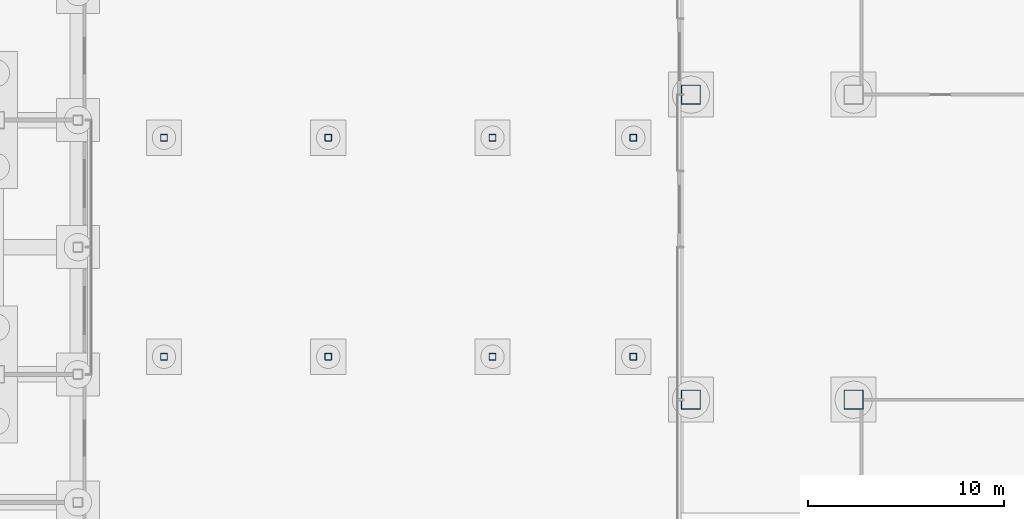
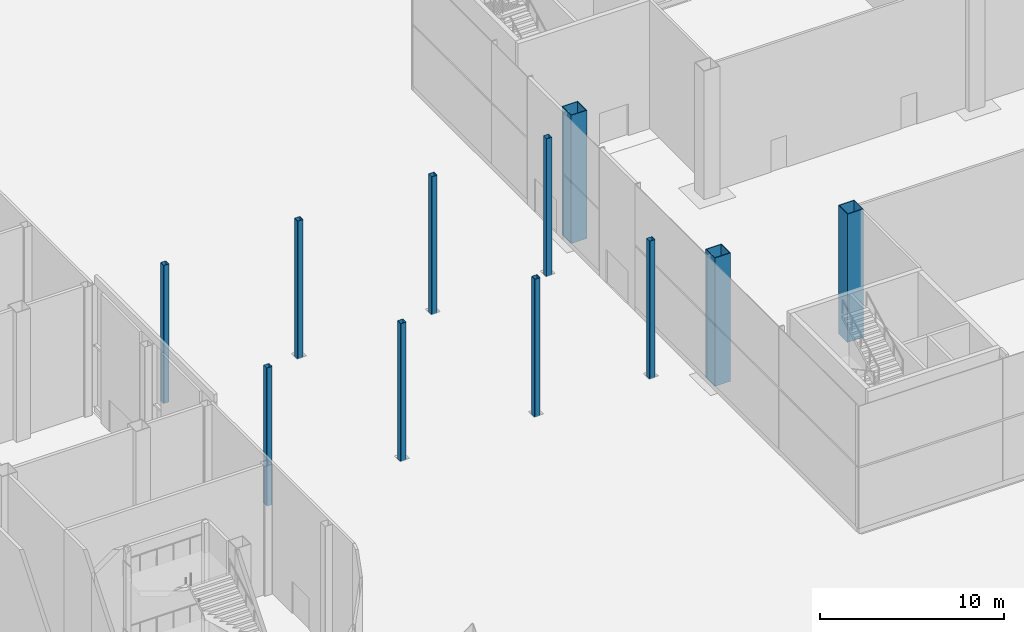
# One storey, part 17 of 113: 11 columns.
"""IFC4 building model written with IfcOpenShell, lengths in metres."""

from ifc_helpers import new_model, si_unit, direction, frame, origin, origin_2d, place, context, subcontext, project, spatial, hollow_rectangle, extrude, material, material_profile, profile_set, type_object, element, save


model = new_model("IFC4")

# Units and contexts
model_context = context("Model", 3, precision=1e-05, world=origin(), true_north=direction((0.0, 1.0)))
body_context = subcontext(model_context, "Body", "Model", "MODEL_VIEW")
ifc_project = project(units=[si_unit("LENGTHUNIT", "METRE"), si_unit("AREAUNIT", "SQUARE_METRE"), si_unit("VOLUMEUNIT", "CUBIC_METRE"), si_unit("PLANEANGLEUNIT", "RADIAN"), si_unit("MASSUNIT", "GRAM", prefix="KILO")], contexts=[model_context])

# Site, building, storey
site_placement = place(None, origin())
site = spatial("IfcSite", under=ifc_project, at=site_placement, CompositionType="ELEMENT")
building_placement = place(site_placement, origin())
building = spatial("IfcBuilding", under=site, at=building_placement, Name="Hakoniwa Tower and Hamabe Station Hall", CompositionType="ELEMENT")
storey_placement = place(building_placement, origin())
storey = spatial("IfcBuildingStorey", under=building, at=storey_placement, Name="L01", CompositionType="ELEMENT", Elevation=0.0)

# Columns
ifc_material_1 = material(Name="Steel BCR295", Category="steel")
ifc_material_profile_1 = material_profile(ifc_material_1, hollow_rectangle(XDim=0.35009765625, YDim=0.35009765625, WallThickness=0.011962890625, OuterFilletRadius=0.026123046875, at=origin_2d()), Name="ARCADE COLUMN BCR-350x350x12")
ifc_profile_set_1 = profile_set([ifc_material_profile_1], Name="Steel BCR295")
column_type_1 = type_object("IfcColumnType", Name="ARCADE COLUMN BCR-350x350x12", PredefinedType="COLUMN", material=ifc_profile_set_1)
for number, where, z_axis, x_axis, name in (
    (1, (59.0, -5.60009765625, -0.14990234375), (0.0, 0.0, 1.0), (1.0, 0.0, 0.0), "Arcade column AC1S"),
    (2, (59.0, 5.60009765625, -0.14990234375), (0.0, 0.0, 1.0), (1.0, 0.0, 0.0), "Arcade column AC1N"),
    (3, (67.39990234375, -5.60009765625, -0.14990234375), (0.0, 0.0, 1.0), (1.0, 0.0, 0.0), "Arcade column AC2S"),
    (4, (67.39990234375, 5.60009765625, -0.14990234375), (0.0, 0.0, 1.0), (1.0, 0.0, 0.0), "Arcade column AC2N"),
    (5, (75.800048828125, -5.60009765625, -0.14990234375), (0.0, 0.0, 1.0), (1.0, 0.0, 0.0), "Arcade column AC3S"),
    (6, (75.800048828125, 5.60009765625, -0.14990234375), (0.0, 0.0, 1.0), (1.0, 0.0, 0.0), "Arcade column AC3N"),
    (7, (83.0, -5.60009765625, -0.14990234375), (0.0, 0.0, 1.0), (1.0, 0.0, 0.0), "Arcade column AC4S"),
    (8, (83.0, 5.60009765625, -0.14990234375), (0.0, 0.0, 1.0), (1.0, 0.0, 0.0), "Arcade column AC4N"),
):
    element("IfcColumn", number, at=place(storey_placement, frame(where, z_axis=z_axis, x_axis=x_axis)), inside=storey, type_object=column_type_1, Name=name, PredefinedType="COLUMN", context=body_context, shape_type="SweptSolid", body=[
        extrude(hollow_rectangle(XDim=0.35009765625, YDim=0.35009765625, WallThickness=0.011962890625, OuterFilletRadius=0.026123046875, at=origin_2d()), origin(), (0.0, 0.0, 1.0), 9.14990234375),
    ])
ifc_material_2 = material(Name="Steel BCP325", Category="steel")
ifc_material_profile_2 = material_profile(ifc_material_2, hollow_rectangle(XDim=1.0, YDim=1.0, WallThickness=0.0400390625, at=origin_2d()), Name="STATION BOX COLUMN 1000X1000X40")
ifc_profile_set_2 = profile_set([ifc_material_profile_2], Name="Steel BCP325")
column_type_2 = type_object("IfcColumnType", Name="STATION BOX COLUMN 1000X1000X40", PredefinedType="COLUMN", material=ifc_profile_set_2)
for number, where, z_axis, x_axis, name in (
    (9, (85.949951171875, -7.800048828125, 0.0), (0.0, 0.0, 1.0), (1.0, 0.0, 0.0), "Station column S1C"),
    (10, (85.949951171875, 7.800048828125, 0.0), (0.0, 0.0, 1.0), (1.0, 0.0, 0.0), "Station column S1E"),
    (11, (94.27001953125, -7.800048828125, 0.0), (0.0, 0.0, 1.0), (1.0, 0.0, 0.0), "Station column S2C"),
):
    element("IfcColumn", number, at=place(storey_placement, frame(where, z_axis=z_axis, x_axis=x_axis)), inside=storey, type_object=column_type_2, Name=name, PredefinedType="COLUMN", context=body_context, shape_type="SweptSolid", body=[
        extrude(hollow_rectangle(XDim=1.0, YDim=1.0, WallThickness=0.0400390625, at=origin_2d()), origin(), (0.0, 0.0, 1.0), 8.5),
    ])

save(model, "model.ifc")
